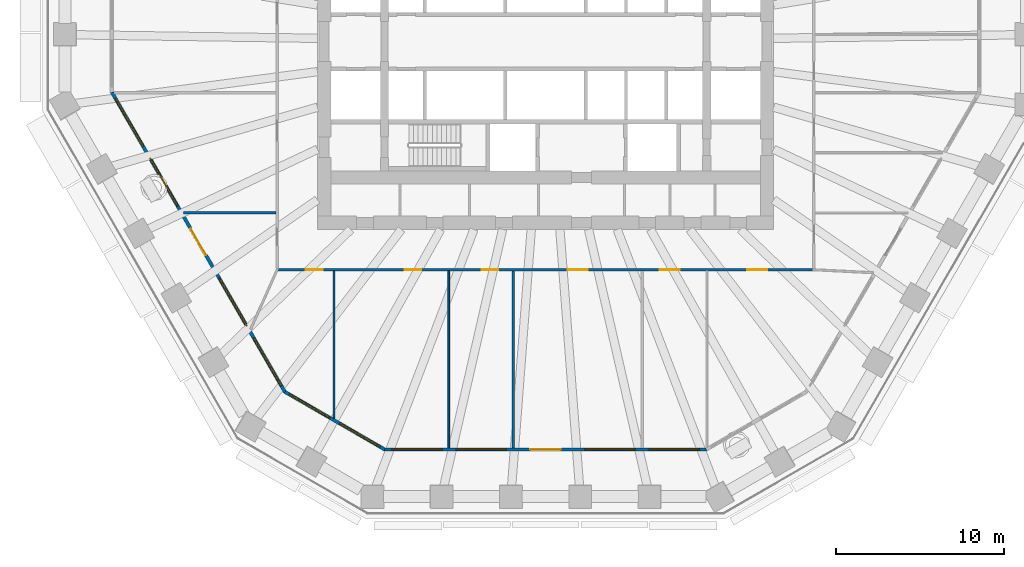
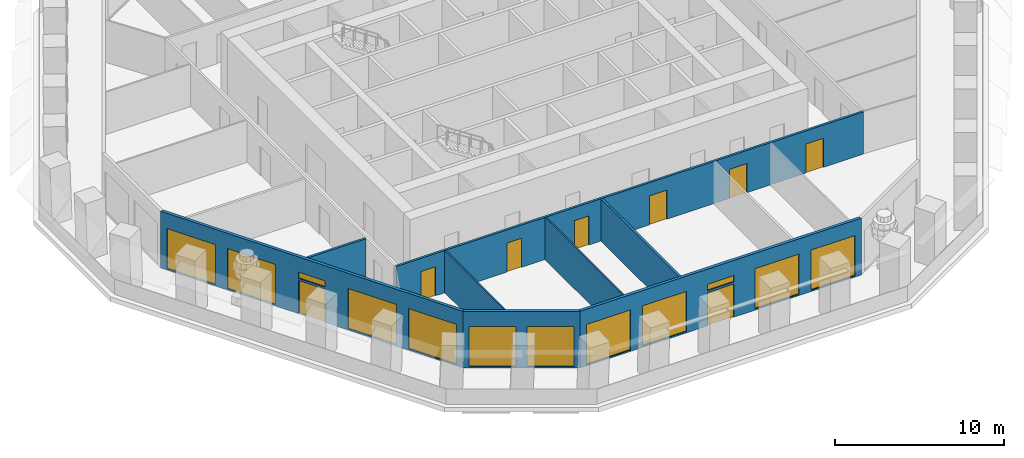
# One storey, part 3 of 13: 12 windows, 8 doors, 8 walls, 20 openings.
"""IFC4 building model written with IfcOpenShell, lengths in metres."""

from ifc_helpers import new_model, si_unit, direction, frame, frame_2d, origin, place, context, subcontext, project, spatial, polyline, rectangle, outline, extrude, material, layer, layer_set, type_object, element, fill, save


model = new_model("IFC4")

# Units and contexts
model_context = context("Model", 3, precision=1e-05, world=origin(), true_north=direction((0.0, 1.0)))
body_context = subcontext(model_context, "Body", "Model", "MODEL_VIEW")
ifc_project = project(units=[si_unit("LENGTHUNIT", "METRE"), si_unit("AREAUNIT", "SQUARE_METRE"), si_unit("VOLUMEUNIT", "CUBIC_METRE"), si_unit("PLANEANGLEUNIT", "RADIAN"), si_unit("MASSUNIT", "GRAM", prefix="KILO")], contexts=[model_context])

# Site, building, storey
site_placement = place(None, origin())
site = spatial("IfcSite", under=ifc_project, at=site_placement, CompositionType="ELEMENT")
building_placement = place(site_placement, origin())
building = spatial("IfcBuilding", under=site, at=building_placement, Name="Frailejon Research Tower", CompositionType="ELEMENT")
storey_placement = place(building_placement, frame((0.0, 0.0, 94.0)))
storey = spatial("IfcBuildingStorey", under=building, at=storey_placement, Name="L20", CompositionType="ELEMENT", Elevation=94.0)

# Wall, openings, doors
ifc_material_1 = material(Name="Gypsum board and masonry partition", Category="masonry")
ifc_layer_1 = layer(ifc_material_1, 0.14990234375)
ifc_layer_set_1 = layer_set([ifc_layer_1], Name="Corridor wall EI 60, gypsum on steel studs 150")
wall_type_1 = type_object("IfcWallType", Name="Corridor wall EI 60, gypsum on steel studs 150", PredefinedType="PARTITIONING", material=ifc_layer_set_1)
wall_1_placement = place(storey_placement, frame((-15.949951171875, -13.60009765625, 0.0), z_axis=(0.0, 0.0, 1.0), x_axis=(1.0, 0.0, 0.0)))
wall_1 = element("IfcWall", 1, at=wall_1_placement, inside=storey, type_object=wall_type_1, Name="T:IW:L20:004", PredefinedType="PARTITIONING", context=body_context, shape_type="SweptSolid", body=[
    extrude(rectangle(XDim=31.89990234375, YDim=0.14990234375, at=frame_2d((15.949951171875, 0.0))), origin(), (0.0, 0.0, 1.0), 3.050048828125),
])
opening_1_placement = place(wall_1_placement, frame((1.658203125, 0.0, 0.0)))
opening_1 = element("IfcOpeningElement", 2, at=opening_1_placement, cuts=wall_1, Name="Opening D1541", PredefinedType="OPENING", context=body_context, shape_type="SweptSolid", body=[
    extrude(rectangle(XDim=1.0, YDim=2.10009765625, at=frame_2d((0.5, 1.050048828125))), frame((0.0, 0.0849609375, 0.0), z_axis=(0.0, -1.0, 0.0), x_axis=(1.0, 0.0, 0.0)), (0.0, 0.0, 1.0), 0.169921875),
])
opening_2_placement = place(wall_1_placement, frame((7.543212890625, 0.0, 0.0)))
opening_2 = element("IfcOpeningElement", 3, at=opening_2_placement, cuts=wall_1, Name="Opening D1542", PredefinedType="OPENING", context=body_context, shape_type="SweptSolid", body=[
    extrude(rectangle(XDim=1.0, YDim=2.10009765625, at=frame_2d((0.5, 1.050048828125))), frame((0.0, 0.0849609375, 0.0), z_axis=(0.0, -1.0, 0.0), x_axis=(1.0, 0.0, 0.0)), (0.0, 0.0, 1.0), 0.169921875),
])
opening_3_placement = place(wall_1_placement, frame((12.139892578125, 0.0, 0.0)))
opening_3 = element("IfcOpeningElement", 4, at=opening_3_placement, cuts=wall_1, Name="Opening D1543", PredefinedType="OPENING", context=body_context, shape_type="SweptSolid", body=[
    extrude(rectangle(XDim=1.0, YDim=2.10009765625, at=frame_2d((0.5, 1.050048828125))), frame((0.0, 0.0849609375, 0.0), z_axis=(0.0, -1.0, 0.0), x_axis=(1.0, 0.0, 0.0)), (0.0, 0.0, 1.0), 0.169921875),
])
opening_4_placement = place(wall_1_placement, frame((17.2734375, 0.0, 0.0)))
opening_4 = element("IfcOpeningElement", 5, at=opening_4_placement, cuts=wall_1, Name="Opening D1544", PredefinedType="OPENING", context=body_context, shape_type="SweptSolid", body=[
    extrude(rectangle(XDim=1.199951171875, YDim=2.10009765625, at=frame_2d((0.60009765625, 1.050048828125))), frame((0.0, 0.0849609375, 0.0), z_axis=(0.0, -1.0, 0.0), x_axis=(1.0, 0.0, 0.0)), (0.0, 0.0, 1.0), 0.169921875),
])
opening_5_placement = place(wall_1_placement, frame((22.75146484375, 0.0, 0.0)))
opening_5 = element("IfcOpeningElement", 6, at=opening_5_placement, cuts=wall_1, Name="Opening D1545", PredefinedType="OPENING", context=body_context, shape_type="SweptSolid", body=[
    extrude(rectangle(XDim=1.199951171875, YDim=2.10009765625, at=frame_2d((0.60009765625, 1.050048828125))), frame((0.0, 0.0849609375, 0.0), z_axis=(0.0, -1.0, 0.0), x_axis=(1.0, 0.0, 0.0)), (0.0, 0.0, 1.0), 0.169921875),
])
opening_6_placement = place(wall_1_placement, frame((27.966796875, 0.0, 0.0)))
opening_6 = element("IfcOpeningElement", 7, at=opening_6_placement, cuts=wall_1, Name="Opening D1546", PredefinedType="OPENING", context=body_context, shape_type="SweptSolid", body=[
    extrude(rectangle(XDim=1.199951171875, YDim=2.10009765625, at=frame_2d((0.60009765625, 1.050048828125))), frame((0.0, 0.0849609375, 0.0), z_axis=(0.0, -1.0, 0.0), x_axis=(1.0, 0.0, 0.0)), (0.0, 0.0, 1.0), 0.169921875),
])
ifc_material_2 = material(Name="Timber door leaf", Category="wood")
door_type_1 = type_object("IfcDoorType", Name="Door laboratory, timber, vision panel 1200", OperationType="NOTDEFINED", PredefinedType="DOOR", material=ifc_material_2)
door_1_placement = place(opening_4_placement, origin())
door_1 = element("IfcDoor", 8, at=door_1_placement, inside=storey, type_object=door_type_1, Name="D1544", OperationType="DOUBLE_DOOR_SINGLE_SWING", OverallHeight=2.10009765625, OverallWidth=1.199951171875, PredefinedType="DOOR", context=body_context, shape_type="SweptSolid", body=[
    extrude(rectangle(XDim=1.199951171875, YDim=2.10009765625, at=frame_2d((0.60009765625, 1.050048828125))), frame((0.0, 0.02490234375, 0.0), z_axis=(0.0, -1.0, 0.0), x_axis=(1.0, 0.0, 0.0)), (0.0, 0.0, 1.0), 0.050048828125),
])
fill(opening_4, door_1)
ifc_material_3 = material(Name="Timber door leaf", Category="wood")
door_type_2 = type_object("IfcDoorType", Name="Door single leaf, timber, steel frame 1000", OperationType="NOTDEFINED", PredefinedType="DOOR", material=ifc_material_3)
door_2_placement = place(opening_1_placement, origin())
door_2 = element("IfcDoor", 9, at=door_2_placement, inside=storey, type_object=door_type_2, Name="D1541", OperationType="SINGLE_SWING_LEFT", OverallHeight=2.10009765625, OverallWidth=1.0, PredefinedType="DOOR", context=body_context, shape_type="SweptSolid", body=[
    extrude(rectangle(XDim=1.0, YDim=2.10009765625, at=frame_2d((0.5, 1.050048828125))), frame((0.0, 0.02490234375, 0.0), z_axis=(0.0, -1.0, 0.0), x_axis=(1.0, 0.0, 0.0)), (0.0, 0.0, 1.0), 0.050048828125),
])
fill(opening_1, door_2)
door_3_placement = place(opening_2_placement, origin())
door_3 = element("IfcDoor", 10, at=door_3_placement, inside=storey, type_object=door_type_2, Name="D1542", OperationType="SINGLE_SWING_LEFT", OverallHeight=2.10009765625, OverallWidth=1.0, PredefinedType="DOOR", context=body_context, shape_type="SweptSolid", body=[
    extrude(rectangle(XDim=1.0, YDim=2.10009765625, at=frame_2d((0.5, 1.050048828125))), frame((0.0, 0.02490234375, 0.0), z_axis=(0.0, -1.0, 0.0), x_axis=(1.0, 0.0, 0.0)), (0.0, 0.0, 1.0), 0.050048828125),
])
fill(opening_2, door_3)
door_4_placement = place(opening_3_placement, origin())
door_4 = element("IfcDoor", 11, at=door_4_placement, inside=storey, type_object=door_type_2, Name="D1543", OperationType="SINGLE_SWING_RIGHT", OverallHeight=2.10009765625, OverallWidth=1.0, PredefinedType="DOOR", context=body_context, shape_type="SweptSolid", body=[
    extrude(rectangle(XDim=1.0, YDim=2.10009765625, at=frame_2d((0.5, 1.050048828125))), frame((0.0, 0.02490234375, 0.0), z_axis=(0.0, -1.0, 0.0), x_axis=(1.0, 0.0, 0.0)), (0.0, 0.0, 1.0), 0.050048828125),
])
fill(opening_3, door_4)
ifc_material_4 = material(Name="Timber door leaf", Category="wood")
door_type_3 = type_object("IfcDoorType", Name="Door single leaf, timber, steel frame 1200", OperationType="NOTDEFINED", PredefinedType="DOOR", material=ifc_material_4)
door_5_placement = place(opening_5_placement, origin())
door_5 = element("IfcDoor", 12, at=door_5_placement, inside=storey, type_object=door_type_3, Name="D1545", OperationType="DOUBLE_DOOR_SINGLE_SWING", OverallHeight=2.10009765625, OverallWidth=1.199951171875, PredefinedType="DOOR", context=body_context, shape_type="SweptSolid", body=[
    extrude(rectangle(XDim=1.199951171875, YDim=2.10009765625, at=frame_2d((0.60009765625, 1.050048828125))), frame((0.0, 0.02490234375, 0.0), z_axis=(0.0, -1.0, 0.0), x_axis=(1.0, 0.0, 0.0)), (0.0, 0.0, 1.0), 0.050048828125),
])
fill(opening_5, door_5)
door_6_placement = place(opening_6_placement, origin())
door_6 = element("IfcDoor", 13, at=door_6_placement, inside=storey, type_object=door_type_3, Name="D1546", OperationType="DOUBLE_DOOR_SINGLE_SWING", OverallHeight=2.10009765625, OverallWidth=1.199951171875, PredefinedType="DOOR", context=body_context, shape_type="SweptSolid", body=[
    extrude(rectangle(XDim=1.199951171875, YDim=2.10009765625, at=frame_2d((0.60009765625, 1.050048828125))), frame((0.0, 0.02490234375, 0.0), z_axis=(0.0, -1.0, 0.0), x_axis=(1.0, 0.0, 0.0)), (0.0, 0.0, 1.0), 0.050048828125),
])
fill(opening_6, door_6)

# Walls
ifc_material_5 = material(Name="Gypsum board and masonry partition", Category="masonry")
ifc_layer_2 = layer(ifc_material_5, 0.14990234375)
ifc_layer_set_2 = layer_set([ifc_layer_2], Name="Laboratory partition, blockwork 150")
wall_type_2 = type_object("IfcWallType", Name="Laboratory partition, blockwork 150", PredefinedType="PARTITIONING", material=ifc_layer_set_2)
wall_2_placement = place(storey_placement, frame((-21.587158203125, -10.2099609375, 0.0), z_axis=(0.0, 0.0, 1.0), x_axis=(1.0, 0.0, 0.0)))
element("IfcWall", 14, at=wall_2_placement, inside=storey, type_object=wall_type_2, Name="T:IW:L20:008", PredefinedType="PARTITIONING", context=body_context, shape_type="SweptSolid", body=[
    extrude(rectangle(XDim=5.51220703125, YDim=0.14990234375, at=frame_2d((2.756103515625, 0.0))), origin(), (0.0, 0.0, 1.0), 3.050048828125),
])
wall_3_placement = place(storey_placement, frame((-1.92333984375, -24.21484375, 0.0), z_axis=(0.0, 0.0, 1.0), x_axis=(0.0, 1.0, 0.0)))
element("IfcWall", 15, at=wall_3_placement, inside=storey, type_object=wall_type_2, Name="T:IW:L20:009", PredefinedType="PARTITIONING", context=body_context, shape_type="SweptSolid", body=[
    extrude(rectangle(XDim=10.539794921875, YDim=0.14990234375, at=frame_2d((5.27001953125, 0.0))), origin(), (0.0, 0.0, 1.0), 3.050048828125),
])
ifc_material_6 = material(Name="Gypsum board and masonry partition", Category="masonry")
ifc_layer_3 = layer(ifc_material_6, 0.10009765625)
ifc_layer_set_3 = layer_set([ifc_layer_3], Name="Partition, gypsum on steel studs 100")
wall_type_3 = type_object("IfcWallType", Name="Partition, gypsum on steel studs 100", PredefinedType="PARTITIONING", material=ifc_layer_set_3)
wall_4_placement = place(storey_placement, frame((-12.616943359375, -22.451904296875, 0.0), z_axis=(0.0, 0.0, 1.0), x_axis=(0.0, 1.0, 0.0)))
element("IfcWall", 16, at=wall_4_placement, inside=storey, type_object=wall_type_3, Name="T:IW:L20:021", PredefinedType="PARTITIONING", context=body_context, shape_type="SweptSolid", body=[
    extrude(rectangle(XDim=8.77685546875, YDim=0.10009765625, at=frame_2d((4.388427734375, 0.0))), origin(), (0.0, 0.0, 1.0), 3.050048828125),
])
wall_5_placement = place(storey_placement, frame((-5.77001953125, -24.21484375, 0.0), z_axis=(0.0, 0.0, 1.0), x_axis=(0.0, 1.0, 0.0)))
element("IfcWall", 17, at=wall_5_placement, inside=storey, type_object=wall_type_3, Name="T:IW:L20:022", PredefinedType="PARTITIONING", context=body_context, shape_type="SweptSolid", body=[
    extrude(rectangle(XDim=10.539794921875, YDim=0.10009765625, at=frame_2d((5.27001953125, 0.0))), origin(), (0.0, 0.0, 1.0), 3.050048828125),
])

# Wall, openings, door, windows
ifc_material_7 = material(Name="Concrete C40/50 precast window wall panel", Category="concrete")
ifc_layer_4 = layer(ifc_material_7, 0.199951171875)
ifc_layer_set_4 = layer_set([ifc_layer_4], Name="Window wall 200")
wall_type_4 = type_object("IfcWallType", Name="Window wall 200", PredefinedType="SOLIDWALL", material=ifc_layer_set_4)
wall_6_placement = place(storey_placement, frame((-25.852294921875, -3.0224609375, 0.0), z_axis=(0.0, 0.0, 1.0), x_axis=(0.500000580948, -0.866025068374, 0.0)))
wall_6 = element("IfcWall", 18, at=wall_6_placement, inside=storey, type_object=wall_type_4, Name="Exterior wall L20", PredefinedType="SOLIDWALL", context=body_context, shape_type="SweptSolid", body=[
    extrude(outline(polyline([(-0.02685546875, -0.10009765625), (1.006591796875, -0.10009765625), (2.040283203125, -0.10009765625), (3.07373046875, -0.10009765625), (4.107421875, -0.10009765625), (5.140869140625, -0.10009765625), (6.17431640625, -0.10009765625), (7.2080078125, -0.10009765625), (8.241455078125, -0.10009765625), (9.275146484375, -0.10009765625), (10.30859375, -0.10009765625), (11.342041015625, -0.10009765625), (12.375732421875, -0.10009765625), (13.4091796875, -0.10009765625), (14.44287109375, -0.10009765625), (15.476318359375, -0.10009765625), (16.509765625, -0.10009765625), (17.54345703125, -0.10009765625), (18.576904296875, -0.10009765625), (19.610595703125, -0.10009765625), (20.64404296875, -0.10009765625), (20.59033203125, 0.10009765625), (19.562255859375, 0.10009765625), (18.533935546875, 0.10009765625), (17.505859375, 0.10009765625), (16.4775390625, 0.10009765625), (15.449462890625, 0.10009765625), (14.42138671875, 0.10009765625), (13.39306640625, 0.10009765625), (12.364990234375, 0.10009765625), (11.336669921875, 0.10009765625), (10.30859375, 0.10009765625), (9.280517578125, 0.10009765625), (8.252197265625, 0.10009765625), (7.22412109375, 0.10009765625), (6.19580078125, 0.10009765625), (5.167724609375, 0.10009765625), (4.1396484375, 0.10009765625), (3.111328125, 0.10009765625), (2.083251953125, 0.10009765625), (1.054931640625, 0.10009765625), (0.02685546875, 0.10009765625), (-0.02685546875, -0.10009765625)])), origin(), (0.0, 0.0, 1.0), 4.10009765625),
])
opening_7_placement = place(wall_6_placement, frame((0.41162109375, 0.0, 0.10009765625)))
opening_7 = element("IfcOpeningElement", 19, at=opening_7_placement, cuts=wall_6, Name="Opening W5", PredefinedType="OPENING", context=body_context, shape_type="SweptSolid", body=[
    extrude(rectangle(XDim=3.300048828125, YDim=2.89990234375, at=frame_2d((1.64990234375, 1.449951171875))), frame((0.0, 0.10986328125, 0.0), z_axis=(0.0, -1.0, 0.0), x_axis=(1.0, 0.0, 0.0)), (0.0, 0.0, 1.0), 0.219970703125),
])
opening_8_placement = place(wall_6_placement, frame((4.53515625, 0.0, 0.10009765625)))
opening_8 = element("IfcOpeningElement", 20, at=opening_8_placement, cuts=wall_6, Name="Opening W5", PredefinedType="OPENING", context=body_context, shape_type="SweptSolid", body=[
    extrude(rectangle(XDim=3.300048828125, YDim=2.89990234375, at=frame_2d((1.64990234375, 1.449951171875))), frame((0.0, 0.10986328125, 0.0), z_axis=(0.0, -1.0, 0.0), x_axis=(1.0, 0.0, 0.0)), (0.0, 0.0, 1.0), 0.219970703125),
])
opening_9_placement = place(wall_6_placement, frame((9.40869140625, 0.0, 0.0)))
opening_9 = element("IfcOpeningElement", 21, at=opening_9_placement, cuts=wall_6, Name="Opening LG20-4", PredefinedType="OPENING", context=body_context, shape_type="SweptSolid", body=[
    extrude(rectangle(XDim=1.800048828125, YDim=2.39990234375, at=frame_2d((0.89990234375, 1.199951171875))), frame((0.0, 0.10986328125, 0.0), z_axis=(0.0, -1.0, 0.0), x_axis=(1.0, 0.0, 0.0)), (0.0, 0.0, 1.0), 0.219970703125),
])
opening_10_placement = place(wall_6_placement, frame((9.40869140625, 0.0, 2.550048828125)))
opening_10 = element("IfcOpeningElement", 22, at=opening_10_placement, cuts=wall_6, Name="Opening W1", PredefinedType="OPENING", context=body_context, shape_type="SweptSolid", body=[
    extrude(rectangle(XDim=1.800048828125, YDim=0.449951171875, at=frame_2d((0.89990234375, 0.22509765625))), frame((0.0, 0.10986328125, 0.0), z_axis=(0.0, -1.0, 0.0), x_axis=(1.0, 0.0, 0.0)), (0.0, 0.0, 1.0), 0.219970703125),
])
opening_11_placement = place(wall_6_placement, frame((12.781982421875, 0.0, 0.10009765625)))
opening_11 = element("IfcOpeningElement", 23, at=opening_11_placement, cuts=wall_6, Name="Opening W5", PredefinedType="OPENING", context=body_context, shape_type="SweptSolid", body=[
    extrude(rectangle(XDim=3.300048828125, YDim=2.89990234375, at=frame_2d((1.64990234375, 1.449951171875))), frame((0.0, 0.10986328125, 0.0), z_axis=(0.0, -1.0, 0.0), x_axis=(1.0, 0.0, 0.0)), (0.0, 0.0, 1.0), 0.219970703125),
])
opening_12_placement = place(wall_6_placement, frame((16.905517578125, 0.0, 0.10009765625)))
opening_12 = element("IfcOpeningElement", 24, at=opening_12_placement, cuts=wall_6, Name="Opening W5", PredefinedType="OPENING", context=body_context, shape_type="SweptSolid", body=[
    extrude(rectangle(XDim=3.300048828125, YDim=2.89990234375, at=frame_2d((1.64990234375, 1.449951171875))), frame((0.0, 0.10986328125, 0.0), z_axis=(0.0, -1.0, 0.0), x_axis=(1.0, 0.0, 0.0)), (0.0, 0.0, 1.0), 0.219970703125),
])
ifc_material_8 = material(Name="Aluminium framed glazed door leaf", Category="aluminium")
door_type_4 = type_object("IfcDoorType", Name="Loggia door 1800x2400", OperationType="DOUBLE_DOOR_SINGLE_SWING", PredefinedType="DOOR", material=ifc_material_8)
door_7_placement = place(opening_9_placement, origin())
door_7 = element("IfcDoor", 25, at=door_7_placement, inside=storey, type_object=door_type_4, Name="Door LG20-4", OperationType="DOUBLE_DOOR_SINGLE_SWING", OverallHeight=2.39990234375, OverallWidth=1.800048828125, PredefinedType="DOOR", context=body_context, shape_type="SweptSolid", body=[
    extrude(rectangle(XDim=1.800048828125, YDim=2.39990234375, at=frame_2d((0.89990234375, 1.199951171875))), frame((0.0, 0.02490234375, 0.0), z_axis=(0.0, -1.0, 0.0), x_axis=(1.0, 0.0, 0.0)), (0.0, 0.0, 1.0), 0.050048828125),
])
fill(opening_9, door_7)
ifc_material_9 = material(Name="Aluminium framed double glazing", Category="aluminium")
window_type_1 = type_object("IfcWindowType", Name="Window 1800x450", PartitioningType="SINGLE_PANEL", PredefinedType="WINDOW", material=ifc_material_9)
window_1_placement = place(opening_10_placement, origin())
window_1 = element("IfcWindow", 26, at=window_1_placement, inside=storey, type_object=window_type_1, Name="Window L20", OverallHeight=0.449951171875, OverallWidth=1.800048828125, PartitioningType="SINGLE_PANEL", PredefinedType="WINDOW", context=body_context, shape_type="SweptSolid", body=[
    extrude(rectangle(XDim=1.800048828125, YDim=0.449951171875, at=frame_2d((0.89990234375, 0.22509765625))), frame((0.0, 0.030029296875, 0.0), z_axis=(0.0, -1.0, 0.0), x_axis=(1.0, 0.0, 0.0)), (0.0, 0.0, 1.0), 0.06005859375),
])
fill(opening_10, window_1)
ifc_material_10 = material(Name="Aluminium framed double glazing", Category="aluminium")
window_type_2 = type_object("IfcWindowType", Name="Window 3300x2900", PartitioningType="SINGLE_PANEL", PredefinedType="WINDOW", material=ifc_material_10)
window_2_placement = place(opening_7_placement, origin())
window_2 = element("IfcWindow", 27, at=window_2_placement, inside=storey, type_object=window_type_2, Name="Window L20", OverallHeight=2.89990234375, OverallWidth=3.300048828125, PartitioningType="SINGLE_PANEL", PredefinedType="WINDOW", context=body_context, shape_type="SweptSolid", body=[
    extrude(rectangle(XDim=3.300048828125, YDim=2.89990234375, at=frame_2d((1.64990234375, 1.449951171875))), frame((0.0, 0.030029296875, 0.0), z_axis=(0.0, -1.0, 0.0), x_axis=(1.0, 0.0, 0.0)), (0.0, 0.0, 1.0), 0.06005859375),
])
fill(opening_7, window_2)
window_3_placement = place(opening_8_placement, origin())
window_3 = element("IfcWindow", 28, at=window_3_placement, inside=storey, type_object=window_type_2, Name="Window L20", OverallHeight=2.89990234375, OverallWidth=3.300048828125, PartitioningType="SINGLE_PANEL", PredefinedType="WINDOW", context=body_context, shape_type="SweptSolid", body=[
    extrude(rectangle(XDim=3.300048828125, YDim=2.89990234375, at=frame_2d((1.64990234375, 1.449951171875))), frame((0.0, 0.030029296875, 0.0), z_axis=(0.0, -1.0, 0.0), x_axis=(1.0, 0.0, 0.0)), (0.0, 0.0, 1.0), 0.06005859375),
])
fill(opening_8, window_3)
window_4_placement = place(opening_11_placement, origin())
window_4 = element("IfcWindow", 29, at=window_4_placement, inside=storey, type_object=window_type_2, Name="Window L20", OverallHeight=2.89990234375, OverallWidth=3.300048828125, PartitioningType="SINGLE_PANEL", PredefinedType="WINDOW", context=body_context, shape_type="SweptSolid", body=[
    extrude(rectangle(XDim=3.300048828125, YDim=2.89990234375, at=frame_2d((1.64990234375, 1.449951171875))), frame((0.0, 0.030029296875, 0.0), z_axis=(0.0, -1.0, 0.0), x_axis=(1.0, 0.0, 0.0)), (0.0, 0.0, 1.0), 0.06005859375),
])
fill(opening_11, window_4)
window_5_placement = place(opening_12_placement, origin())
window_5 = element("IfcWindow", 30, at=window_5_placement, inside=storey, type_object=window_type_2, Name="Window L20", OverallHeight=2.89990234375, OverallWidth=3.300048828125, PartitioningType="SINGLE_PANEL", PredefinedType="WINDOW", context=body_context, shape_type="SweptSolid", body=[
    extrude(rectangle(XDim=3.300048828125, YDim=2.89990234375, at=frame_2d((1.64990234375, 1.449951171875))), frame((0.0, 0.030029296875, 0.0), z_axis=(0.0, -1.0, 0.0), x_axis=(1.0, 0.0, 0.0)), (0.0, 0.0, 1.0), 0.06005859375),
])
fill(opening_12, window_5)

# Wall, openings, windows
wall_7_placement = place(storey_placement, frame((-15.543701171875, -20.87744140625, 0.0), z_axis=(0.0, 0.0, 1.0), x_axis=(0.866029458321, -0.49999297727, 0.0)))
wall_7 = element("IfcWall", 31, at=wall_7_placement, inside=storey, type_object=wall_type_4, Name="Exterior wall L20", PredefinedType="SOLIDWALL", context=body_context, shape_type="SweptSolid", body=[
    extrude(outline(polyline([(-0.02685546875, -0.10009765625), (1.1279296875, -0.10009765625), (2.282470703125, -0.10009765625), (3.437255859375, -0.10009765625), (4.592041015625, -0.10009765625), (5.74658203125, -0.10009765625), (6.9013671875, -0.10009765625), (6.84765625, 0.10009765625), (5.7109375, 0.10009765625), (4.573974609375, 0.10009765625), (3.437255859375, 0.10009765625), (2.300537109375, 0.10009765625), (1.16357421875, 0.10009765625), (0.02685546875, 0.10009765625), (-0.02685546875, -0.10009765625)])), origin(), (0.0, 0.0, 1.0), 4.10009765625),
])
opening_13_placement = place(wall_7_placement, frame((0.318603515625, 0.0, 0.10009765625)))
opening_13 = element("IfcOpeningElement", 32, at=opening_13_placement, cuts=wall_7, Name="Opening W3", PredefinedType="OPENING", context=body_context, shape_type="SweptSolid", body=[
    extrude(rectangle(XDim=2.800048828125, YDim=2.89990234375, at=frame_2d((1.39990234375, 1.449951171875))), frame((0.0, 0.10986328125, 0.0), z_axis=(0.0, -1.0, 0.0), x_axis=(1.0, 0.0, 0.0)), (0.0, 0.0, 1.0), 0.219970703125),
])
opening_14_placement = place(wall_7_placement, frame((3.756103515625, 0.0, 0.10009765625)))
opening_14 = element("IfcOpeningElement", 33, at=opening_14_placement, cuts=wall_7, Name="Opening W3", PredefinedType="OPENING", context=body_context, shape_type="SweptSolid", body=[
    extrude(rectangle(XDim=2.800048828125, YDim=2.89990234375, at=frame_2d((1.39990234375, 1.449951171875))), frame((0.0, 0.10986328125, 0.0), z_axis=(0.0, -1.0, 0.0), x_axis=(1.0, 0.0, 0.0)), (0.0, 0.0, 1.0), 0.219970703125),
])
ifc_material_11 = material(Name="Aluminium framed double glazing", Category="aluminium")
window_type_3 = type_object("IfcWindowType", Name="Window 2800x2900", PartitioningType="SINGLE_PANEL", PredefinedType="WINDOW", material=ifc_material_11)
window_6_placement = place(opening_13_placement, origin())
window_6 = element("IfcWindow", 34, at=window_6_placement, inside=storey, type_object=window_type_3, Name="Window L20", OverallHeight=2.89990234375, OverallWidth=2.800048828125, PartitioningType="SINGLE_PANEL", PredefinedType="WINDOW", context=body_context, shape_type="SweptSolid", body=[
    extrude(rectangle(XDim=2.800048828125, YDim=2.89990234375, at=frame_2d((1.39990234375, 1.449951171875))), frame((0.0, 0.030029296875, 0.0), z_axis=(0.0, -1.0, 0.0), x_axis=(1.0, 0.0, 0.0)), (0.0, 0.0, 1.0), 0.06005859375),
])
fill(opening_13, window_6)
window_7_placement = place(opening_14_placement, origin())
window_7 = element("IfcWindow", 35, at=window_7_placement, inside=storey, type_object=window_type_3, Name="Window L20", OverallHeight=2.89990234375, OverallWidth=2.800048828125, PartitioningType="SINGLE_PANEL", PredefinedType="WINDOW", context=body_context, shape_type="SweptSolid", body=[
    extrude(rectangle(XDim=2.800048828125, YDim=2.89990234375, at=frame_2d((1.39990234375, 1.449951171875))), frame((0.0, 0.030029296875, 0.0), z_axis=(0.0, -1.0, 0.0), x_axis=(1.0, 0.0, 0.0)), (0.0, 0.0, 1.0), 0.06005859375),
])
fill(opening_14, window_7)

# Wall, openings, door, windows
wall_8_placement = place(storey_placement, frame((-9.590087890625, -24.314697265625, 0.0), z_axis=(0.0, 0.0, 1.0), x_axis=(1.0, 0.0, 0.0)))
wall_8 = element("IfcWall", 36, at=wall_8_placement, inside=storey, type_object=wall_type_4, Name="Exterior wall L20", PredefinedType="SOLIDWALL", context=body_context, shape_type="SweptSolid", body=[
    extrude(outline(polyline([(-0.02685546875, -0.10009765625), (0.9853515625, -0.10009765625), (1.997802734375, -0.10009765625), (3.010009765625, -0.10009765625), (4.0224609375, -0.10009765625), (5.03466796875, -0.10009765625), (6.047119140625, -0.10009765625), (7.059326171875, -0.10009765625), (8.071533203125, -0.10009765625), (9.083984375, -0.10009765625), (10.09619140625, -0.10009765625), (11.108642578125, -0.10009765625), (12.120849609375, -0.10009765625), (13.133056640625, -0.10009765625), (14.1455078125, -0.10009765625), (15.15771484375, -0.10009765625), (16.170166015625, -0.10009765625), (17.182373046875, -0.10009765625), (18.19482421875, -0.10009765625), (19.20703125, -0.10009765625), (19.1533203125, 0.10009765625), (18.146728515625, 0.10009765625), (17.139892578125, 0.10009765625), (16.13330078125, 0.10009765625), (15.126708984375, 0.10009765625), (14.1201171875, 0.10009765625), (13.11328125, 0.10009765625), (12.106689453125, 0.10009765625), (11.10009765625, 0.10009765625), (10.093505859375, 0.10009765625), (9.086669921875, 0.10009765625), (8.080078125, 0.10009765625), (7.073486328125, 0.10009765625), (6.06689453125, 0.10009765625), (5.06005859375, 0.10009765625), (4.053466796875, 0.10009765625), (3.046875, 0.10009765625), (2.040283203125, 0.10009765625), (1.033447265625, 0.10009765625), (0.02685546875, 0.10009765625), (-0.02685546875, -0.10009765625)])), origin(), (0.0, 0.0, 1.0), 4.10009765625),
])
opening_15_placement = place(wall_8_placement, frame((0.41796875, 0.0, 0.10009765625)))
opening_15 = element("IfcOpeningElement", 37, at=opening_15_placement, cuts=wall_8, Name="Opening W4", PredefinedType="OPENING", context=body_context, shape_type="SweptSolid", body=[
    extrude(rectangle(XDim=3.0, YDim=2.89990234375, at=frame_2d((1.5, 1.449951171875))), frame((0.0, 0.10986328125, 0.0), z_axis=(0.0, -1.0, 0.0), x_axis=(1.0, 0.0, 0.0)), (0.0, 0.0, 1.0), 0.219970703125),
])
opening_16_placement = place(wall_8_placement, frame((4.254150390625, 0.0, 0.10009765625)))
opening_16 = element("IfcOpeningElement", 38, at=opening_16_placement, cuts=wall_8, Name="Opening W4", PredefinedType="OPENING", context=body_context, shape_type="SweptSolid", body=[
    extrude(rectangle(XDim=3.0, YDim=2.89990234375, at=frame_2d((1.5, 1.449951171875))), frame((0.0, 0.10986328125, 0.0), z_axis=(0.0, -1.0, 0.0), x_axis=(1.0, 0.0, 0.0)), (0.0, 0.0, 1.0), 0.219970703125),
])
opening_17_placement = place(wall_8_placement, frame((8.690185546875, 0.0, 0.0)))
opening_17 = element("IfcOpeningElement", 39, at=opening_17_placement, cuts=wall_8, Name="Opening LG20-5", PredefinedType="OPENING", context=body_context, shape_type="SweptSolid", body=[
    extrude(rectangle(XDim=1.800048828125, YDim=2.39990234375, at=frame_2d((0.89990234375, 1.199951171875))), frame((0.0, 0.10986328125, 0.0), z_axis=(0.0, -1.0, 0.0), x_axis=(1.0, 0.0, 0.0)), (0.0, 0.0, 1.0), 0.219970703125),
])
opening_18_placement = place(wall_8_placement, frame((8.690185546875, 0.0, 2.550048828125)))
opening_18 = element("IfcOpeningElement", 40, at=opening_18_placement, cuts=wall_8, Name="Opening W1", PredefinedType="OPENING", context=body_context, shape_type="SweptSolid", body=[
    extrude(rectangle(XDim=1.800048828125, YDim=0.449951171875, at=frame_2d((0.89990234375, 0.22509765625))), frame((0.0, 0.10986328125, 0.0), z_axis=(0.0, -1.0, 0.0), x_axis=(1.0, 0.0, 0.0)), (0.0, 0.0, 1.0), 0.219970703125),
])
opening_19_placement = place(wall_8_placement, frame((11.92626953125, 0.0, 0.10009765625)))
opening_19 = element("IfcOpeningElement", 41, at=opening_19_placement, cuts=wall_8, Name="Opening W4", PredefinedType="OPENING", context=body_context, shape_type="SweptSolid", body=[
    extrude(rectangle(XDim=3.0, YDim=2.89990234375, at=frame_2d((1.5, 1.449951171875))), frame((0.0, 0.10986328125, 0.0), z_axis=(0.0, -1.0, 0.0), x_axis=(1.0, 0.0, 0.0)), (0.0, 0.0, 1.0), 0.219970703125),
])
opening_20_placement = place(wall_8_placement, frame((15.76220703125, 0.0, 0.10009765625)))
opening_20 = element("IfcOpeningElement", 42, at=opening_20_placement, cuts=wall_8, Name="Opening W4", PredefinedType="OPENING", context=body_context, shape_type="SweptSolid", body=[
    extrude(rectangle(XDim=3.0, YDim=2.89990234375, at=frame_2d((1.5, 1.449951171875))), frame((0.0, 0.10986328125, 0.0), z_axis=(0.0, -1.0, 0.0), x_axis=(1.0, 0.0, 0.0)), (0.0, 0.0, 1.0), 0.219970703125),
])
door_8_placement = place(opening_17_placement, origin())
door_8 = element("IfcDoor", 43, at=door_8_placement, inside=storey, type_object=door_type_4, Name="Door LG20-5", OperationType="DOUBLE_DOOR_SINGLE_SWING", OverallHeight=2.39990234375, OverallWidth=1.800048828125, PredefinedType="DOOR", context=body_context, shape_type="SweptSolid", body=[
    extrude(rectangle(XDim=1.800048828125, YDim=2.39990234375, at=frame_2d((0.89990234375, 1.199951171875))), frame((0.0, 0.02490234375, 0.0), z_axis=(0.0, -1.0, 0.0), x_axis=(1.0, 0.0, 0.0)), (0.0, 0.0, 1.0), 0.050048828125),
])
fill(opening_17, door_8)
window_8_placement = place(opening_18_placement, origin())
window_8 = element("IfcWindow", 44, at=window_8_placement, inside=storey, type_object=window_type_1, Name="Window L20", OverallHeight=0.449951171875, OverallWidth=1.800048828125, PartitioningType="SINGLE_PANEL", PredefinedType="WINDOW", context=body_context, shape_type="SweptSolid", body=[
    extrude(rectangle(XDim=1.800048828125, YDim=0.449951171875, at=frame_2d((0.89990234375, 0.22509765625))), frame((0.0, 0.030029296875, 0.0), z_axis=(0.0, -1.0, 0.0), x_axis=(1.0, 0.0, 0.0)), (0.0, 0.0, 1.0), 0.06005859375),
])
fill(opening_18, window_8)
ifc_material_12 = material(Name="Aluminium framed double glazing", Category="aluminium")
window_type_4 = type_object("IfcWindowType", Name="Window 3000x2900", PartitioningType="SINGLE_PANEL", PredefinedType="WINDOW", material=ifc_material_12)
window_9_placement = place(opening_15_placement, origin())
window_9 = element("IfcWindow", 45, at=window_9_placement, inside=storey, type_object=window_type_4, Name="Window L20", OverallHeight=2.89990234375, OverallWidth=3.0, PartitioningType="SINGLE_PANEL", PredefinedType="WINDOW", context=body_context, shape_type="SweptSolid", body=[
    extrude(rectangle(XDim=3.0, YDim=2.89990234375, at=frame_2d((1.5, 1.449951171875))), frame((0.0, 0.030029296875, 0.0), z_axis=(0.0, -1.0, 0.0), x_axis=(1.0, 0.0, 0.0)), (0.0, 0.0, 1.0), 0.06005859375),
])
fill(opening_15, window_9)
window_10_placement = place(opening_16_placement, origin())
window_10 = element("IfcWindow", 46, at=window_10_placement, inside=storey, type_object=window_type_4, Name="Window L20", OverallHeight=2.89990234375, OverallWidth=3.0, PartitioningType="SINGLE_PANEL", PredefinedType="WINDOW", context=body_context, shape_type="SweptSolid", body=[
    extrude(rectangle(XDim=3.0, YDim=2.89990234375, at=frame_2d((1.5, 1.449951171875))), frame((0.0, 0.030029296875, 0.0), z_axis=(0.0, -1.0, 0.0), x_axis=(1.0, 0.0, 0.0)), (0.0, 0.0, 1.0), 0.06005859375),
])
fill(opening_16, window_10)
window_11_placement = place(opening_19_placement, origin())
window_11 = element("IfcWindow", 47, at=window_11_placement, inside=storey, type_object=window_type_4, Name="Window L20", OverallHeight=2.89990234375, OverallWidth=3.0, PartitioningType="SINGLE_PANEL", PredefinedType="WINDOW", context=body_context, shape_type="SweptSolid", body=[
    extrude(rectangle(XDim=3.0, YDim=2.89990234375, at=frame_2d((1.5, 1.449951171875))), frame((0.0, 0.030029296875, 0.0), z_axis=(0.0, -1.0, 0.0), x_axis=(1.0, 0.0, 0.0)), (0.0, 0.0, 1.0), 0.06005859375),
])
fill(opening_19, window_11)
window_12_placement = place(opening_20_placement, origin())
window_12 = element("IfcWindow", 48, at=window_12_placement, inside=storey, type_object=window_type_4, Name="Window L20", OverallHeight=2.89990234375, OverallWidth=3.0, PartitioningType="SINGLE_PANEL", PredefinedType="WINDOW", context=body_context, shape_type="SweptSolid", body=[
    extrude(rectangle(XDim=3.0, YDim=2.89990234375, at=frame_2d((1.5, 1.449951171875))), frame((0.0, 0.030029296875, 0.0), z_axis=(0.0, -1.0, 0.0), x_axis=(1.0, 0.0, 0.0)), (0.0, 0.0, 1.0), 0.06005859375),
])
fill(opening_20, window_12)

save(model, "model.ifc")
